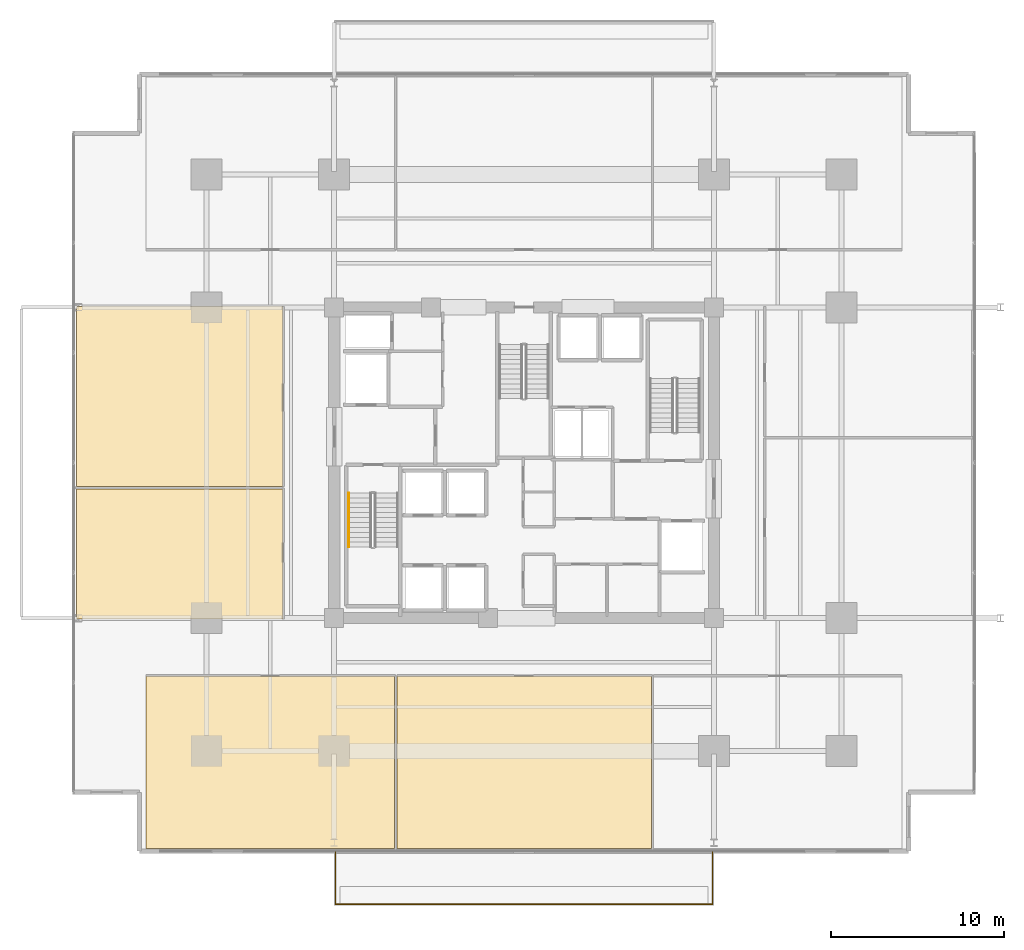
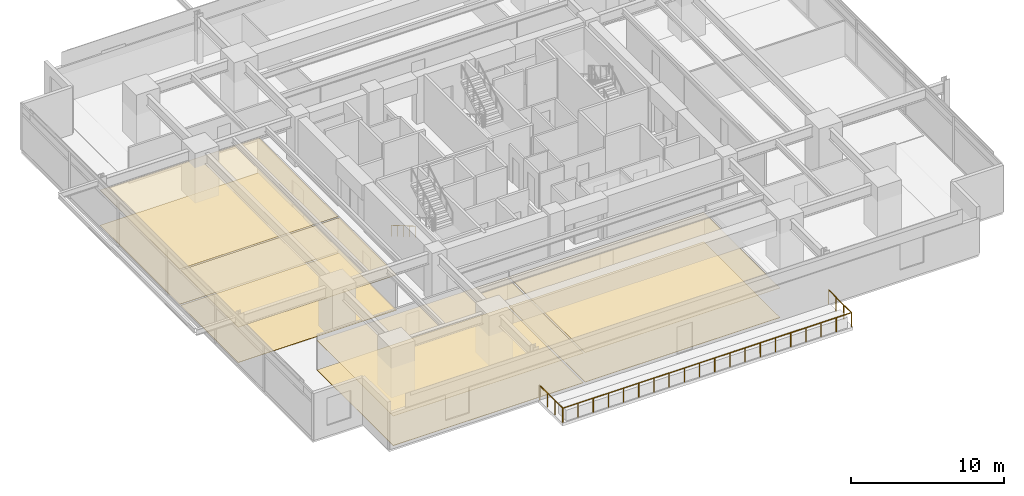
# One storey, part 19 of 22: 8 coverings, 2 railings.
"""IFC4 building model written with IfcOpenShell, lengths in metres."""

from ifc_helpers import new_model, si_unit, direction, frame, origin, origin_2d, place, context, subcontext, project, spatial, polyline, circle, outline, extrude, material, layer, layer_set, type_object, element, save


model = new_model("IFC4")

# Units and contexts
model_context = context("Model", 3, precision=1e-05, world=origin(), true_north=direction((0.0, 1.0)))
body_context = subcontext(model_context, "Body", "Model", "MODEL_VIEW")
ifc_project = project(units=[si_unit("LENGTHUNIT", "METRE"), si_unit("AREAUNIT", "SQUARE_METRE"), si_unit("VOLUMEUNIT", "CUBIC_METRE"), si_unit("PLANEANGLEUNIT", "RADIAN"), si_unit("MASSUNIT", "GRAM", prefix="KILO")], contexts=[model_context])

# Site, building, storey
site_placement = place(None, origin())
site = spatial("IfcSite", under=ifc_project, at=site_placement, CompositionType="ELEMENT")
building_placement = place(site_placement, origin())
building = spatial("IfcBuilding", under=site, at=building_placement, Name="Kovane Verandah Tower", CompositionType="ELEMENT")
storey_placement = place(building_placement, frame((0.0, 0.0, 71.60009765625)))
storey = spatial("IfcBuildingStorey", under=building, at=storey_placement, Name="L16", CompositionType="ELEMENT", Elevation=71.60009765625)

# Coverings
ifc_material_1 = material(Name="Perforated Acoustic Mineral-Fibre Ceiling Tile", Category="gypsum")
ifc_layer_1 = layer(ifc_material_1, 0.02490234375)
ifc_layer_set_1 = layer_set([ifc_layer_1], Name="Perforated Acoustic Mineral-Fibre Ceiling Tile")
covering_type_1 = type_object("IfcCoveringType", Name="CV-CEIL-25", PredefinedType="CEILING", material=ifc_layer_set_1)
covering_1_placement = place(storey_placement, frame((0.0, 0.0, 2.364990234375)))
element("IfcCovering", 1, at=covering_1_placement, inside=storey, type_object=covering_type_1, Name="L16 Collaboration Hub S1 Acoustic Ceiling", PredefinedType="CEILING", context=body_context, shape_type="SweptSolid", body=[
    extrude(outline(polyline([(18.113525390625, 5.1494140625), (32.488525390625, 5.1494140625), (32.488525390625, 15.14990234375), (18.113525390625, 15.14990234375), (18.113525390625, 5.1494140625)])), origin(), (0.0, 0.0, 1.0), 0.02490234375),
])
covering_2_placement = place(storey_placement, frame((0.0, 0.0, 2.364990234375)))
element("IfcCovering", 2, at=covering_2_placement, inside=storey, type_object=covering_type_1, Name="L16 Document and Print Room S2 Acoustic Ceiling", PredefinedType="CEILING", context=body_context, shape_type="SweptSolid", body=[
    extrude(outline(polyline([(32.628662109375, 5.1494140625), (47.371337890625, 5.1494140625), (47.371337890625, 15.14990234375), (32.628662109375, 15.14990234375), (32.628662109375, 5.1494140625)])), origin(), (0.0, 0.0, 1.0), 0.02490234375),
])
covering_3_placement = place(storey_placement, frame((0.0, 0.0, 2.824951171875)))
element("IfcCovering", 3, at=covering_3_placement, inside=storey, type_object=covering_type_1, Name="L16 Executive Office W1 Acoustic Ceiling", PredefinedType="CEILING", context=body_context, shape_type="SweptSolid", body=[
    extrude(outline(polyline([(14.063720703125, 18.449951171875), (26.050048828125, 18.449951171875), (26.050048828125, 25.98193359375), (14.063720703125, 25.98193359375), (14.063720703125, 18.449951171875)])), origin(), (0.0, 0.0, 1.0), 0.02490234375),
])
covering_4_placement = place(storey_placement, frame((0.0, 0.0, 2.824951171875)))
element("IfcCovering", 4, at=covering_4_placement, inside=storey, type_object=covering_type_1, Name="L16 Client Boardroom W2 Acoustic Ceiling", PredefinedType="CEILING", context=body_context, shape_type="SweptSolid", body=[
    extrude(outline(polyline([(14.063720703125, 26.1220703125), (26.050048828125, 26.1220703125), (26.050048828125, 36.550048828125), (14.063720703125, 36.550048828125), (14.063720703125, 26.1220703125)])), origin(), (0.0, 0.0, 1.0), 0.02490234375),
])
ifc_material_2 = material(Name="Polished Terrazzo and Raised-Access Carpet Tile Finish", Category="concrete")
ifc_layer_2 = layer(ifc_material_2, 0.030029296875)
ifc_layer_set_2 = layer_set([ifc_layer_2], Name="Polished Terrazzo and Raised-Access Carpet Tile Finish")
covering_type_2 = type_object("IfcCoveringType", Name="CV-FLOR-30", PredefinedType="FLOORING", material=ifc_layer_set_2)
covering_5_placement = place(storey_placement, origin())
element("IfcCovering", 5, at=covering_5_placement, inside=storey, type_object=covering_type_2, Name="L16 Collaboration Hub S1 Floor Finish", PredefinedType="FLOORING", context=body_context, shape_type="SweptSolid", body=[
    extrude(outline(polyline([(18.113525390625, 5.1494140625), (32.488525390625, 5.1494140625), (32.488525390625, 15.14990234375), (18.113525390625, 15.14990234375), (18.113525390625, 5.1494140625)])), origin(), (0.0, 0.0, 1.0), 0.02978515625),
])
covering_6_placement = place(storey_placement, origin())
element("IfcCovering", 6, at=covering_6_placement, inside=storey, type_object=covering_type_2, Name="L16 Document and Print Room S2 Floor Finish", PredefinedType="FLOORING", context=body_context, shape_type="SweptSolid", body=[
    extrude(outline(polyline([(32.628662109375, 5.1494140625), (47.371337890625, 5.1494140625), (47.371337890625, 15.14990234375), (32.628662109375, 15.14990234375), (32.628662109375, 5.1494140625)])), origin(), (0.0, 0.0, 1.0), 0.02978515625),
])
covering_7_placement = place(storey_placement, origin())
element("IfcCovering", 7, at=covering_7_placement, inside=storey, type_object=covering_type_2, Name="L16 Executive Office W1 Floor Finish", PredefinedType="FLOORING", context=body_context, shape_type="SweptSolid", body=[
    extrude(outline(polyline([(14.063720703125, 18.449951171875), (26.050048828125, 18.449951171875), (26.050048828125, 25.98193359375), (14.063720703125, 25.98193359375), (14.063720703125, 18.449951171875)])), origin(), (0.0, 0.0, 1.0), 0.02978515625),
])
covering_8_placement = place(storey_placement, origin())
element("IfcCovering", 8, at=covering_8_placement, inside=storey, type_object=covering_type_2, Name="L16 Client Boardroom W2 Floor Finish", PredefinedType="FLOORING", context=body_context, shape_type="SweptSolid", body=[
    extrude(outline(polyline([(14.063720703125, 26.1220703125), (26.050048828125, 26.1220703125), (26.050048828125, 36.550048828125), (14.063720703125, 36.550048828125), (14.063720703125, 26.1220703125)])), origin(), (0.0, 0.0, 1.0), 0.02978515625),
])

# Railings
ifc_material_3 = material(Name="Laminated Glass and Pale-Champagne Stainless Balustrade", Category="glass")
railing_type_1 = type_object("IfcRailingType", Name="RL-BAL-1150", PredefinedType="BALUSTRADE", material=ifc_material_3)
railing_1_placement = place(storey_placement, frame((29.080078125, 4.949462890625, 0.0)))
element("IfcRailing", 9, at=railing_1_placement, inside=storey, type_object=railing_type_1, Name="L16 S Verandah Glass Balustrade", PredefinedType="BALUSTRADE", context=body_context, shape_type="SweptSolid", body=[
    extrude(circle(Radius=0.02392578125, at=origin_2d()), frame((0.0, 0.0, 1.1259765625), z_axis=(0.0, -1.0, 0.0), x_axis=(1.0, 0.0, 0.0)), (0.0, 0.0, 1.0), 3.02001953125),
    extrude(circle(Radius=0.02392578125, at=origin_2d()), frame((0.0, -3.02001953125, 1.1259765625), z_axis=(1.0, 0.0, 0.0), x_axis=(0.0, 1.0, 0.0)), (0.0, 0.0, 1.0), 21.83984375),
    extrude(circle(Radius=0.02392578125, at=origin_2d()), frame((21.83984375, -3.02001953125, 1.1259765625), z_axis=(0.0, 1.0, 0.0), x_axis=(-1.0, 0.0, 0.0)), (0.0, 0.0, 1.0), 3.02001953125),
    extrude(circle(Radius=0.02099609375, at=origin_2d()), origin(), (0.0, 0.0, 1.0), 1.101806640625),
    extrude(circle(Radius=0.02099609375, at=origin_2d()), frame((0.0, -1.006591796875, 0.0)), (0.0, 0.0, 1.0), 1.101806640625),
    extrude(circle(Radius=0.02099609375, at=origin_2d()), frame((0.0, -2.013427734375, 0.0)), (0.0, 0.0, 1.0), 1.101806640625),
    extrude(circle(Radius=0.02099609375, at=origin_2d()), frame((0.0, -3.02001953125, 0.0)), (0.0, 0.0, 1.0), 1.101806640625),
    extrude(circle(Radius=0.02099609375, at=origin_2d()), frame((1.1494140625, -3.02001953125, 0.0)), (0.0, 0.0, 1.0), 1.101806640625),
    extrude(circle(Radius=0.02099609375, at=origin_2d()), frame((2.298828125, -3.02001953125, 0.0)), (0.0, 0.0, 1.0), 1.101806640625),
    extrude(circle(Radius=0.02099609375, at=origin_2d()), frame((3.448486328125, -3.02001953125, 0.0)), (0.0, 0.0, 1.0), 1.101806640625),
    extrude(circle(Radius=0.02099609375, at=origin_2d()), frame((4.597900390625, -3.02001953125, 0.0)), (0.0, 0.0, 1.0), 1.101806640625),
    extrude(circle(Radius=0.02099609375, at=origin_2d()), frame((5.747314453125, -3.02001953125, 0.0)), (0.0, 0.0, 1.0), 1.101806640625),
    extrude(circle(Radius=0.02099609375, at=origin_2d()), frame((6.896728515625, -3.02001953125, 0.0)), (0.0, 0.0, 1.0), 1.101806640625),
    extrude(circle(Radius=0.02099609375, at=origin_2d()), frame((8.046142578125, -3.02001953125, 0.0)), (0.0, 0.0, 1.0), 1.101806640625),
    extrude(circle(Radius=0.02099609375, at=origin_2d()), frame((9.19580078125, -3.02001953125, 0.0)), (0.0, 0.0, 1.0), 1.101806640625),
    extrude(circle(Radius=0.02099609375, at=origin_2d()), frame((10.34521484375, -3.02001953125, 0.0)), (0.0, 0.0, 1.0), 1.101806640625),
    extrude(circle(Radius=0.02099609375, at=origin_2d()), frame((11.49462890625, -3.02001953125, 0.0)), (0.0, 0.0, 1.0), 1.101806640625),
    extrude(circle(Radius=0.02099609375, at=origin_2d()), frame((12.64404296875, -3.02001953125, 0.0)), (0.0, 0.0, 1.0), 1.101806640625),
    extrude(circle(Radius=0.02099609375, at=origin_2d()), frame((13.793701171875, -3.02001953125, 0.0)), (0.0, 0.0, 1.0), 1.101806640625),
    extrude(circle(Radius=0.02099609375, at=origin_2d()), frame((14.943115234375, -3.02001953125, 0.0)), (0.0, 0.0, 1.0), 1.101806640625),
    extrude(circle(Radius=0.02099609375, at=origin_2d()), frame((16.092529296875, -3.02001953125, 0.0)), (0.0, 0.0, 1.0), 1.101806640625),
    extrude(circle(Radius=0.02099609375, at=origin_2d()), frame((17.241943359375, -3.02001953125, 0.0)), (0.0, 0.0, 1.0), 1.101806640625),
    extrude(circle(Radius=0.02099609375, at=origin_2d()), frame((18.391357421875, -3.02001953125, 0.0)), (0.0, 0.0, 1.0), 1.101806640625),
    extrude(circle(Radius=0.02099609375, at=origin_2d()), frame((19.541015625, -3.02001953125, 0.0)), (0.0, 0.0, 1.0), 1.101806640625),
    extrude(circle(Radius=0.02099609375, at=origin_2d()), frame((20.6904296875, -3.02001953125, 0.0)), (0.0, 0.0, 1.0), 1.101806640625),
    extrude(circle(Radius=0.02099609375, at=origin_2d()), frame((21.83984375, -3.02001953125, 0.0)), (0.0, 0.0, 1.0), 1.101806640625),
    extrude(circle(Radius=0.02099609375, at=origin_2d()), frame((21.83984375, -2.013427734375, 0.0)), (0.0, 0.0, 1.0), 1.101806640625),
    extrude(circle(Radius=0.02099609375, at=origin_2d()), frame((21.83984375, -1.006591796875, 0.0)), (0.0, 0.0, 1.0), 1.101806640625),
    extrude(circle(Radius=0.02099609375, at=origin_2d()), frame((21.83984375, 0.0, 0.0)), (0.0, 0.0, 1.0), 1.101806640625),
])
ifc_material_4 = material(Name="Brushed Stainless Steel Handrail", Category="steel")
railing_type_2 = type_object("IfcRailingType", Name="RL-HAND-920", PredefinedType="HANDRAIL", material=ifc_material_4)
railing_2_placement = place(storey_placement, frame((29.85009765625, 25.75, 0.16650390625)))
element("IfcRailing", 10, at=railing_2_placement, inside=storey, type_object=railing_type_2, Name="L16 ST-01 stair handrail 1", PredefinedType="HANDRAIL", context=body_context, shape_type="SweptSolid", body=[
    extrude(circle(Radius=0.02392578125, at=origin_2d()), frame((0.0, 0.0, 0.8759765625), z_axis=(0.0, -0.863210265497, 0.504844567704), x_axis=(1.0, 0.0, 0.0)), (0.0, 0.0, 1.0), 3.6318359375),
    extrude(circle(Radius=0.02099609375, at=origin_2d()), origin(), (0.0, 0.0, 1.0), 0.851806640625),
    extrude(circle(Radius=0.02099609375, at=origin_2d()), frame((0.0, -0.78369140625, 0.45849609375)), (0.0, 0.0, 1.0), 0.851806640625),
    extrude(circle(Radius=0.02099609375, at=origin_2d()), frame((0.0, -1.5673828125, 0.916748046875)), (0.0, 0.0, 1.0), 0.851806640625),
    extrude(circle(Radius=0.02099609375, at=origin_2d()), frame((0.0, -2.351318359375, 1.375)), (0.0, 0.0, 1.0), 0.851806640625),
    extrude(circle(Radius=0.02099609375, at=origin_2d()), frame((0.0, -3.135009765625, 1.83349609375)), (0.0, 0.0, 1.0), 0.851806640625),
])

save(model, "model.ifc")
